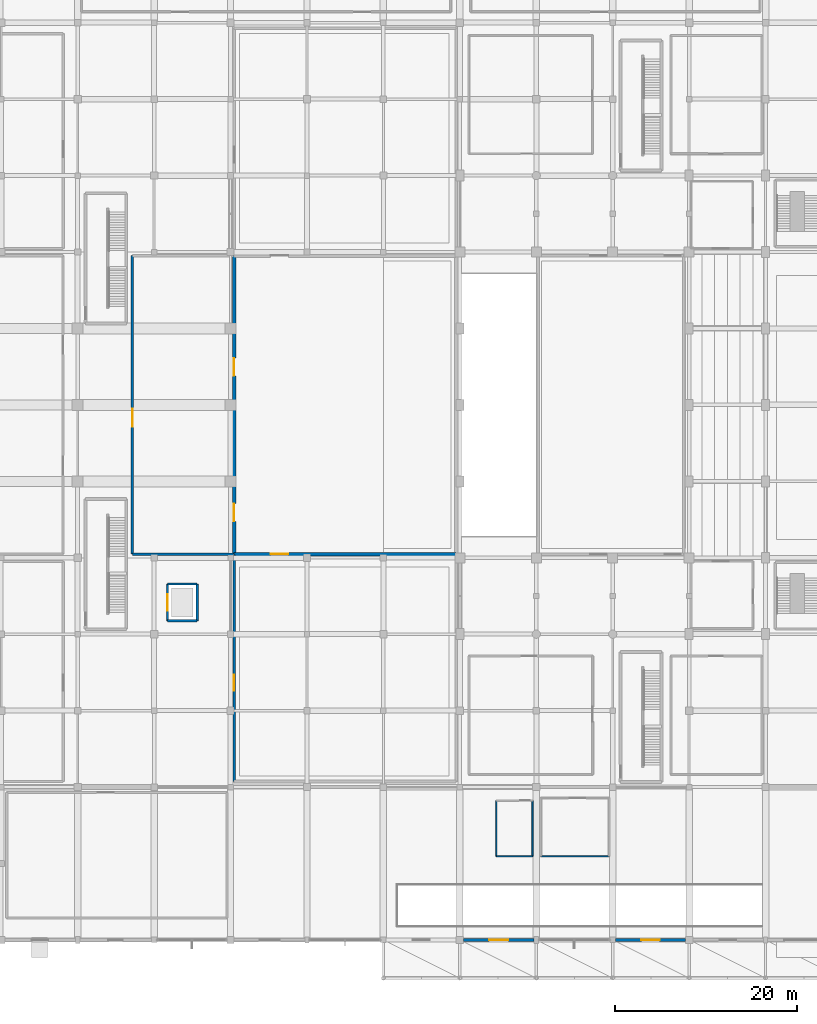
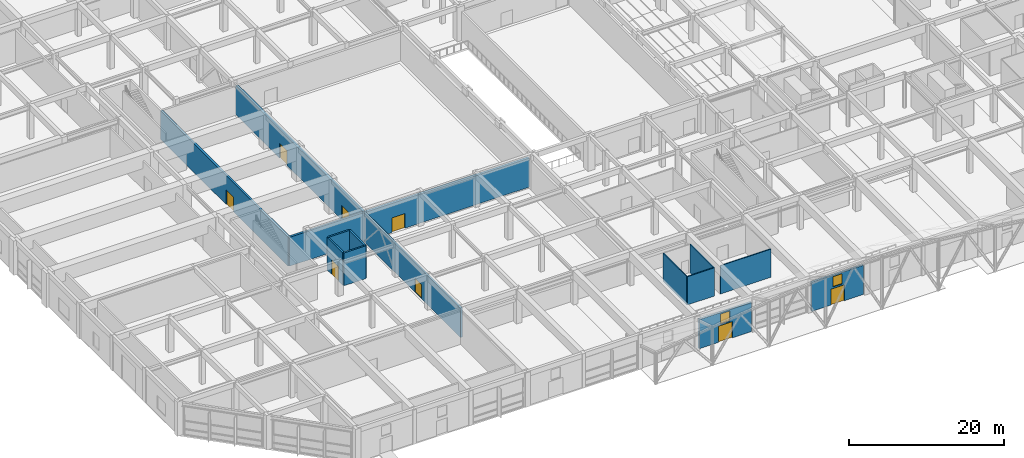
# One storey, part 42 of 62: 15 walls, 8 doors, 2 windows, 10 openings.
"""IFC4 building model written with IfcOpenShell, lengths in metres."""

from ifc_helpers import new_model, si_unit, direction, frame, frame_2d, origin, place, context, subcontext, project, spatial, rectangle, extrude, material, layer, layer_set, type_object, element, fill, save


model = new_model("IFC4")

# Units and contexts
model_context = context("Model", 3, precision=1e-05, world=origin(), true_north=direction((0.0, 1.0)))
body_context = subcontext(model_context, "Body", "Model", "MODEL_VIEW")
ifc_project = project(units=[si_unit("LENGTHUNIT", "METRE"), si_unit("AREAUNIT", "SQUARE_METRE"), si_unit("VOLUMEUNIT", "CUBIC_METRE"), si_unit("PLANEANGLEUNIT", "RADIAN"), si_unit("MASSUNIT", "GRAM", prefix="KILO")], contexts=[model_context])

# Site, building, storey
site_placement = place(None, origin())
site = spatial("IfcSite", under=ifc_project, at=site_placement, CompositionType="ELEMENT")
building_placement = place(site_placement, origin())
building = spatial("IfcBuilding", under=site, at=building_placement, Name="Xuanlan Plaza Opera House", CompositionType="ELEMENT")
storey_placement = place(building_placement, origin())
storey = spatial("IfcBuildingStorey", under=building, at=storey_placement, Name="L00", CompositionType="ELEMENT", Elevation=0.0)

# Wall, openings, door, window
ifc_material_1 = material(Name="Anodised Aluminium 6063-T6 and Rockwool Cladding", Category="aluminium")
ifc_layer_1 = layer(ifc_material_1, 0.320068359375)
ifc_layer_set_1 = layer_set([ifc_layer_1], Name="Anodised Aluminium 6063-T6 and Rockwool Cladding")
wall_type_1 = type_object("IfcWallType", Name="ENV-WL-EW-03", PredefinedType="STANDARD", material=ifc_layer_set_1)
wall_1_placement = place(storey_placement, frame((67.60009765625, 0.0, 0.0), z_axis=(0.0, 0.0, 1.0), x_axis=(1.0, 0.0, 0.0)))
wall_1 = element("IfcWall", 1, at=wall_1_placement, inside=storey, type_object=wall_type_1, Name="Exterior Wall L00-007", PredefinedType="STANDARD", context=body_context, shape_type="SweptSolid", body=[
    extrude(rectangle(XDim=7.75, YDim=0.320068359375, at=frame_2d((3.875, 0.0))), origin(), (0.0, 0.0, 1.0), 4.580078125),
])
opening_1_placement = place(wall_1_placement, frame((2.824951171875, 0.0, 0.0)))
opening_1 = element("IfcOpeningElement", 2, at=opening_1_placement, cuts=wall_1, Name="Opening ED-06", PredefinedType="OPENING", context=body_context, shape_type="SweptSolid", body=[
    extrude(rectangle(XDim=2.10009765625, YDim=2.550048828125, at=frame_2d((1.050048828125, 1.27490234375))), frame((0.0, 0.169921875, 0.0), z_axis=(0.0, -1.0, 0.0), x_axis=(1.0, 0.0, 0.0)), (0.0, 0.0, 1.0), 0.340087890625),
])
opening_2_placement = place(wall_1_placement, frame((3.175048828125, 0.0, 2.75)))
opening_2 = element("IfcOpeningElement", 3, at=opening_2_placement, cuts=wall_1, Name="Opening WN-08", PredefinedType="OPENING", context=body_context, shape_type="SweptSolid", body=[
    extrude(rectangle(XDim=1.39990234375, YDim=1.60009765625, at=frame_2d((0.699951171875, 0.800048828125))), frame((0.0, 0.169921875, 0.0), z_axis=(0.0, -1.0, 0.0), x_axis=(1.0, 0.0, 0.0)), (0.0, 0.0, 1.0), 0.340087890625),
])
ifc_material_2 = material(Name="Anodised Aluminium 6063-T6 and Laminated Safety Glass", Category="aluminium")
door_type_1 = type_object("IfcDoorType", Name="ENV-DR-ED-06", OperationType="DOUBLE_DOOR_SINGLE_SWING", PredefinedType="DOOR", material=ifc_material_2)
door_1_placement = place(opening_1_placement, frame((2.10009765625, 0.0, 0.0), z_axis=(0.0, 0.0, 1.0), x_axis=(-1.0, 0.0, 0.0)))
door_1 = element("IfcDoor", 4, at=door_1_placement, inside=storey, type_object=door_type_1, Name="Main Foyer Pedestrian Entrance Door 05", OperationType="DOUBLE_DOOR_SINGLE_SWING", OverallHeight=2.550048828125, OverallWidth=2.10009765625, PredefinedType="DOOR", context=body_context, shape_type="SweptSolid", body=[
    extrude(rectangle(XDim=2.10009765625, YDim=2.550048828125, at=frame_2d((1.050048828125, 1.27490234375))), frame((0.0, 0.02490234375, 0.0), z_axis=(0.0, -1.0, 0.0), x_axis=(1.0, 0.0, 0.0)), (0.0, 0.0, 1.0), 0.050048828125),
])
fill(opening_1, door_1)
ifc_material_3 = material(Name="Anodised Aluminium 6063-T6 and Low-E Glass", Category="aluminium")
window_type = type_object("IfcWindowType", Name="ENV-WN-WN-08", PartitioningType="SINGLE_PANEL", PredefinedType="WINDOW", material=ifc_material_3)
window_1_placement = place(opening_2_placement, origin())
window_1 = element("IfcWindow", 5, at=window_1_placement, inside=storey, type_object=window_type, Name="Entrance Portal Transom Clerestory 05", OverallHeight=1.60009765625, OverallWidth=1.39990234375, PartitioningType="SINGLE_PANEL", PredefinedType="WINDOW", context=body_context, shape_type="SweptSolid", body=[
    extrude(rectangle(XDim=1.39990234375, YDim=1.60009765625, at=frame_2d((0.699951171875, 0.800048828125))), frame((0.0, 0.030029296875, 0.0), z_axis=(0.0, -1.0, 0.0), x_axis=(1.0, 0.0, 0.0)), (0.0, 0.0, 1.0), 0.06005859375),
])
fill(opening_2, window_1)

ifc_layer_2 = layer(ifc_material_1, 0.2900390625)
ifc_layer_set_2 = layer_set([ifc_layer_2], Name="Anodised Aluminium 6063-T6 and Rockwool Cladding")
wall_type_2 = type_object("IfcWallType", Name="ENV-WL-EW-05", PredefinedType="STANDARD", material=ifc_layer_set_2)
wall_2_placement = place(storey_placement, frame((84.300048828125, 0.0, 0.0), z_axis=(0.0, 0.0, 1.0), x_axis=(1.0, 0.0, 0.0)))
wall_2 = element("IfcWall", 6, at=wall_2_placement, inside=storey, type_object=wall_type_2, Name="Exterior Wall L00-009", PredefinedType="STANDARD", context=body_context, shape_type="SweptSolid", body=[
    extrude(rectangle(XDim=7.699951171875, YDim=0.2900390625, at=frame_2d((3.85009765625, 0.0))), origin(), (0.0, 0.0, 1.0), 4.580078125),
])
opening_3_placement = place(wall_2_placement, frame((2.85009765625, 0.0, 0.0)))
opening_3 = element("IfcOpeningElement", 7, at=opening_3_placement, cuts=wall_2, Name="Opening ED-01", PredefinedType="OPENING", context=body_context, shape_type="SweptSolid", body=[
    extrude(rectangle(XDim=2.0, YDim=2.5, at=frame_2d((1.0, 1.25))), frame((0.0, 0.155029296875, 0.0), z_axis=(0.0, -1.0, 0.0), x_axis=(1.0, 0.0, 0.0)), (0.0, 0.0, 1.0), 0.31005859375),
])
opening_4_placement = place(wall_2_placement, frame((3.14990234375, 0.0, 2.75)))
opening_4 = element("IfcOpeningElement", 8, at=opening_4_placement, cuts=wall_2, Name="Opening WN-08", PredefinedType="OPENING", context=body_context, shape_type="SweptSolid", body=[
    extrude(rectangle(XDim=1.39990234375, YDim=1.60009765625, at=frame_2d((0.699951171875, 0.800048828125))), frame((0.0, 0.155029296875, 0.0), z_axis=(0.0, -1.0, 0.0), x_axis=(1.0, 0.0, 0.0)), (0.0, 0.0, 1.0), 0.31005859375),
])
door_type_2 = type_object("IfcDoorType", Name="ENV-DR-ED-01", OperationType="DOUBLE_DOOR_SINGLE_SWING", PredefinedType="DOOR", material=ifc_material_2)
door_2_placement = place(opening_3_placement, frame((2.0, 0.0, 0.0), z_axis=(0.0, 0.0, 1.0), x_axis=(-1.0, 0.0, 0.0)))
door_2 = element("IfcDoor", 9, at=door_2_placement, inside=storey, type_object=door_type_2, Name="Main Foyer Pedestrian Entrance Door 06", OperationType="DOUBLE_DOOR_SINGLE_SWING", OverallHeight=2.5, OverallWidth=2.0, PredefinedType="DOOR", context=body_context, shape_type="SweptSolid", body=[
    extrude(rectangle(XDim=2.0, YDim=2.5, at=frame_2d((1.0, 1.25))), frame((0.0, 0.02490234375, 0.0), z_axis=(0.0, -1.0, 0.0), x_axis=(1.0, 0.0, 0.0)), (0.0, 0.0, 1.0), 0.050048828125),
])
fill(opening_3, door_2)
window_2_placement = place(opening_4_placement, origin())
window_2 = element("IfcWindow", 10, at=window_2_placement, inside=storey, type_object=window_type, Name="Entrance Portal Transom Clerestory 06", OverallHeight=1.60009765625, OverallWidth=1.39990234375, PartitioningType="SINGLE_PANEL", PredefinedType="WINDOW", context=body_context, shape_type="SweptSolid", body=[
    extrude(rectangle(XDim=1.39990234375, YDim=1.60009765625, at=frame_2d((0.699951171875, 0.800048828125))), frame((0.0, 0.030029296875, 0.0), z_axis=(0.0, -1.0, 0.0), x_axis=(1.0, 0.0, 0.0)), (0.0, 0.0, 1.0), 0.06005859375),
])
fill(opening_4, window_2)

# Walls
ifc_material_4 = material(Name="Autoclaved Aerated Blockwork Masonry", Category="masonry")
ifc_layer_3 = layer(ifc_material_4, 0.14990234375)
ifc_layer_set_3 = layer_set([ifc_layer_3], Name="Autoclaved Aerated Blockwork Masonry")
wall_type_3 = type_object("IfcWallType", Name="INT-WL-PW-03", PredefinedType="PARTITIONING", material=ifc_layer_set_3)
wall_3_placement = place(storey_placement, frame((76.10009765625, 9.199951171875, 0.0), z_axis=(0.0, 0.0, 1.0), x_axis=(1.0, 0.0, 0.0)))
element("IfcWall", 11, at=wall_3_placement, inside=storey, type_object=wall_type_3, Name="Opera Public WC South Wall South", PredefinedType="PARTITIONING", context=body_context, shape_type="SweptSolid", body=[
    extrude(rectangle(XDim=7.5, YDim=0.14990234375, at=frame_2d((3.75, 0.0))), origin(), (0.0, 0.0, 1.0), 4.43994140625),
])
wall_4_placement = place(storey_placement, frame((71.199951171875, 9.199951171875, 0.0), z_axis=(0.0, 0.0, 1.0), x_axis=(1.0, 0.0, 0.0)))
element("IfcWall", 12, at=wall_4_placement, inside=storey, type_object=wall_type_3, Name="Opera Accessible WC South Wall South", PredefinedType="PARTITIONING", context=body_context, shape_type="SweptSolid", body=[
    extrude(rectangle(XDim=4.0, YDim=0.14990234375, at=frame_2d((2.0, 0.0))), origin(), (0.0, 0.0, 1.0), 4.43994140625),
])
for number, where, z_axis, x_axis, name in (
    (13, (71.199951171875, 9.199951171875, 0.0), (0.0, 0.0, 1.0), (0.0, 1.0, 0.0), "Opera Accessible WC South Wall West"),
    (14, (75.199951171875, 9.199951171875, 0.0), (0.0, 0.0, 1.0), (0.0, 1.0, 0.0), "Opera Accessible WC South Wall East"),
):
    element("IfcWall", number, at=place(storey_placement, frame(where, z_axis=z_axis, x_axis=x_axis)), inside=storey, type_object=wall_type_3, Name=name, PredefinedType="PARTITIONING", context=body_context, shape_type="SweptSolid", body=[
        extrude(rectangle(XDim=6.10009765625, YDim=0.14990234375, at=frame_2d((3.050048828125, 0.0))), origin(), (0.0, 0.0, 1.0), 4.43994140625),
    ])

# Wall, opening, door
ifc_material_5 = material(Name="Concrete C50", Category="concrete")
ifc_layer_4 = layer(ifc_material_5, 0.3798828125)
ifc_layer_set_4 = layer_set([ifc_layer_4], Name="Concrete C50")
wall_type_4 = type_object("IfcWallType", Name="INT-WL-SW-FW1", PredefinedType="SHEAR", material=ifc_layer_set_4)
wall_5_placement = place(storey_placement, frame((42.39990234375, 42.39990234375, 0.0), z_axis=(0.0, 0.0, 1.0), x_axis=(1.0, 0.0, 0.0)))
wall_5 = element("IfcWall", 15, at=wall_5_placement, inside=storey, type_object=wall_type_4, Name="Main Stage Wall South", PredefinedType="SHEAR", context=body_context, shape_type="SweptSolid", body=[
    extrude(rectangle(XDim=24.400146484375, YDim=0.3798828125, at=frame_2d((12.2001953125, 0.0))), origin(), (0.0, 0.0, 1.0), 4.550048828125),
])
opening_5_placement = place(wall_5_placement, frame((4.0, 0.0, 0.0)))
opening_5 = element("IfcOpeningElement", 16, at=opening_5_placement, cuts=wall_5, Name="Opening FD-04", PredefinedType="OPENING", context=body_context, shape_type="SweptSolid", body=[
    extrude(rectangle(XDim=1.949951171875, YDim=2.300048828125, at=frame_2d((0.97509765625, 1.14990234375))), frame((0.0, 0.199951171875, 0.0), z_axis=(0.0, -1.0, 0.0), x_axis=(1.0, 0.0, 0.0)), (0.0, 0.0, 1.0), 0.39990234375),
])
ifc_material_6 = material(Name="Galvanised Steel Q235B", Category="steel")
door_type_3 = type_object("IfcDoorType", Name="INT-DR-FD-04", OperationType="DOUBLE_DOOR_SINGLE_SWING", PredefinedType="DOOR", material=ifc_material_6)
door_3_placement = place(opening_5_placement, origin())
door_3 = element("IfcDoor", 17, at=door_3_placement, inside=storey, type_object=door_type_3, Name="Main Stage Door 1", OperationType="DOUBLE_DOOR_SINGLE_SWING", OverallHeight=2.300048828125, OverallWidth=1.949951171875, PredefinedType="DOOR", context=body_context, shape_type="SweptSolid", body=[
    extrude(rectangle(XDim=1.949951171875, YDim=2.300048828125, at=frame_2d((0.97509765625, 1.14990234375))), frame((0.0, 0.02490234375, 0.0), z_axis=(0.0, -1.0, 0.0), x_axis=(1.0, 0.0, 0.0)), (0.0, 0.0, 1.0), 0.050048828125),
])
fill(opening_5, door_3)

# Wall, openings, doors
wall_6_placement = place(storey_placement, frame((42.39990234375, 42.39990234375, 0.0), z_axis=(0.0, 0.0, 1.0), x_axis=(0.0, 1.0, 0.0)))
wall_6 = element("IfcWall", 18, at=wall_6_placement, inside=storey, type_object=wall_type_4, Name="Main Stage Wall West", PredefinedType="SHEAR", context=body_context, shape_type="SweptSolid", body=[
    extrude(rectangle(XDim=32.800048828125, YDim=0.3798828125, at=frame_2d((16.39990234375, 0.0))), origin(), (0.0, 0.0, 1.0), 4.550048828125),
])
opening_6_placement = place(wall_6_placement, frame((3.60009765625, 0.0, 0.0)))
opening_6 = element("IfcOpeningElement", 19, at=opening_6_placement, cuts=wall_6, Name="Opening FD-04", PredefinedType="OPENING", context=body_context, shape_type="SweptSolid", body=[
    extrude(rectangle(XDim=1.949951171875, YDim=2.300048828125, at=frame_2d((0.97509765625, 1.14990234375))), frame((0.0, 0.199951171875, 0.0), z_axis=(0.0, -1.0, 0.0), x_axis=(1.0, 0.0, 0.0)), (0.0, 0.0, 1.0), 0.39990234375),
])
opening_7_placement = place(wall_6_placement, frame((19.60009765625, 0.0, 0.0)))
opening_7 = element("IfcOpeningElement", 20, at=opening_7_placement, cuts=wall_6, Name="Opening FD-04", PredefinedType="OPENING", context=body_context, shape_type="SweptSolid", body=[
    extrude(rectangle(XDim=1.949951171875, YDim=2.300048828125, at=frame_2d((0.97509765625, 1.14990234375))), frame((0.0, 0.199951171875, 0.0), z_axis=(0.0, -1.0, 0.0), x_axis=(1.0, 0.0, 0.0)), (0.0, 0.0, 1.0), 0.39990234375),
])
door_4_placement = place(opening_6_placement, origin())
door_4 = element("IfcDoor", 21, at=door_4_placement, inside=storey, type_object=door_type_3, Name="Main Stage Door 1", OperationType="DOUBLE_DOOR_SINGLE_SWING", OverallHeight=2.300048828125, OverallWidth=1.949951171875, PredefinedType="DOOR", context=body_context, shape_type="SweptSolid", body=[
    extrude(rectangle(XDim=1.949951171875, YDim=2.300048828125, at=frame_2d((0.97509765625, 1.14990234375))), frame((0.0, 0.02490234375, 0.0), z_axis=(0.0, -1.0, 0.0), x_axis=(1.0, 0.0, 0.0)), (0.0, 0.0, 1.0), 0.050048828125),
])
fill(opening_6, door_4)
door_5_placement = place(opening_7_placement, origin())
door_5 = element("IfcDoor", 22, at=door_5_placement, inside=storey, type_object=door_type_3, Name="Main Stage Door 2", OperationType="DOUBLE_DOOR_SINGLE_SWING", OverallHeight=2.300048828125, OverallWidth=1.949951171875, PredefinedType="DOOR", context=body_context, shape_type="SweptSolid", body=[
    extrude(rectangle(XDim=1.949951171875, YDim=2.300048828125, at=frame_2d((0.97509765625, 1.14990234375))), frame((0.0, 0.02490234375, 0.0), z_axis=(0.0, -1.0, 0.0), x_axis=(1.0, 0.0, 0.0)), (0.0, 0.0, 1.0), 0.050048828125),
])
fill(opening_7, door_5)

# Walls
ifc_material_7 = material(Name="Concrete C40", Category="concrete")
ifc_layer_5 = layer(ifc_material_7, 0.25)
ifc_layer_set_5 = layer_set([ifc_layer_5], Name="Concrete C40")
wall_type_5 = type_object("IfcWallType", Name="INT-WL-SW-LF1", PredefinedType="SHEAR", material=ifc_layer_set_5)
for number, where, z_axis, x_axis, name in (
    (23, (35.074951171875, 35.074951171875, 0.0), (0.0, 0.0, 1.0), (1.0, 0.0, 0.0), "Lift Shaft Wall LF-SC1 L00 South"),
    (24, (35.074951171875, 39.125, 0.0), (0.0, 0.0, 1.0), (1.0, 0.0, 0.0), "Lift Shaft Wall LF-SC1 L00 North"),
):
    element("IfcWall", number, at=place(storey_placement, frame(where, z_axis=z_axis, x_axis=x_axis)), inside=storey, type_object=wall_type_5, Name=name, PredefinedType="SHEAR", context=body_context, shape_type="SweptSolid", body=[
        extrude(rectangle(XDim=3.25, YDim=0.25, at=frame_2d((1.625, 0.0))), origin(), (0.0, 0.0, 1.0), 5.139892578125),
    ])

# Wall, opening, door
wall_7_placement = place(storey_placement, frame((35.074951171875, 35.074951171875, 0.0), z_axis=(0.0, 0.0, 1.0), x_axis=(0.0, 1.0, 0.0)))
wall_7 = element("IfcWall", 25, at=wall_7_placement, inside=storey, type_object=wall_type_5, Name="Lift Shaft Wall LF-SC1 L00 West", PredefinedType="SHEAR", context=body_context, shape_type="SweptSolid", body=[
    extrude(rectangle(XDim=4.050048828125, YDim=0.25, at=frame_2d((2.02490234375, 0.0))), origin(), (0.0, 0.0, 1.0), 5.139892578125),
])
opening_8_placement = place(wall_7_placement, frame((1.125, 0.0, 0.0)))
opening_8 = element("IfcOpeningElement", 26, at=opening_8_placement, cuts=wall_7, Name="Opening LD-SC1-L00", PredefinedType="OPENING", context=body_context, shape_type="SweptSolid", body=[
    extrude(rectangle(XDim=1.800048828125, YDim=2.300048828125, at=frame_2d((0.89990234375, 1.14990234375))), frame((0.0, 0.135009765625, 0.0), z_axis=(0.0, -1.0, 0.0), x_axis=(1.0, 0.0, 0.0)), (0.0, 0.0, 1.0), 0.27001953125),
])
ifc_material_8 = material(Name="Stainless Steel S30408", Category="steel")
door_type_4 = type_object("IfcDoorType", Name="INT-DR-LD-03", OperationType="DOUBLE_DOOR_SLIDING", PredefinedType="DOOR", material=ifc_material_8)
door_6_placement = place(opening_8_placement, origin())
door_6 = element("IfcDoor", 27, at=door_6_placement, inside=storey, type_object=door_type_4, Name="Lift Sliding Landing Door LF-SC1 L00", OperationType="DOUBLE_DOOR_SLIDING", OverallHeight=2.300048828125, OverallWidth=1.800048828125, PredefinedType="DOOR", context=body_context, shape_type="SweptSolid", body=[
    extrude(rectangle(XDim=1.800048828125, YDim=2.300048828125, at=frame_2d((0.89990234375, 1.14990234375))), frame((0.0, 0.02490234375, 0.0), z_axis=(0.0, -1.0, 0.0), x_axis=(1.0, 0.0, 0.0)), (0.0, 0.0, 1.0), 0.050048828125),
])
fill(opening_8, door_6)

# Wall
wall_8_placement = place(storey_placement, frame((38.324951171875, 35.074951171875, 0.0), z_axis=(0.0, 0.0, 1.0), x_axis=(0.0, 1.0, 0.0)))
element("IfcWall", 28, at=wall_8_placement, inside=storey, type_object=wall_type_5, Name="Lift Shaft Wall LF-SC1 L00 East", PredefinedType="SHEAR", context=body_context, shape_type="SweptSolid", body=[
    extrude(rectangle(XDim=4.050048828125, YDim=0.25, at=frame_2d((2.02490234375, 0.0))), origin(), (0.0, 0.0, 1.0), 5.139892578125),
])

# Wall, opening, door
ifc_layer_6 = layer(ifc_material_7, 0.300048828125)
ifc_layer_set_6 = layer_set([ifc_layer_6], Name="Concrete C40")
wall_type_6 = type_object("IfcWallType", Name="INT-WL-SW-ST1", PredefinedType="SHEAR", material=ifc_layer_set_6)
wall_9_placement = place(storey_placement, frame((42.39990234375, 17.39990234375, 0.0), z_axis=(0.0, 0.0, 1.0), x_axis=(0.0, 1.0, 0.0)))
wall_9 = element("IfcWall", 29, at=wall_9_placement, inside=storey, type_object=wall_type_6, Name="Side Stage South Wall West", PredefinedType="SHEAR", context=body_context, shape_type="SweptSolid", body=[
    extrude(rectangle(XDim=24.920166015625, YDim=0.300048828125, at=frame_2d((12.4599609375, 0.0))), origin(), (0.0, 0.0, 1.0), 4.550048828125),
])
opening_9_placement = place(wall_9_placement, frame((10.0, 0.0, 0.0)))
opening_9 = element("IfcOpeningElement", 30, at=opening_9_placement, cuts=wall_9, Name="Opening FD-03", PredefinedType="OPENING", context=body_context, shape_type="SweptSolid", body=[
    extrude(rectangle(XDim=1.75, YDim=2.199951171875, at=frame_2d((0.875, 1.10009765625))), frame((0.0, 0.159912109375, 0.0), z_axis=(0.0, -1.0, 0.0), x_axis=(1.0, 0.0, 0.0)), (0.0, 0.0, 1.0), 0.320068359375),
])
door_type_5 = type_object("IfcDoorType", Name="INT-DR-FD-03", OperationType="DOUBLE_DOOR_SINGLE_SWING", PredefinedType="DOOR", material=ifc_material_6)
door_7_placement = place(opening_9_placement, origin())
door_7 = element("IfcDoor", 31, at=door_7_placement, inside=storey, type_object=door_type_5, Name="Side Stage South Door 1", OperationType="DOUBLE_DOOR_SINGLE_SWING", OverallHeight=2.199951171875, OverallWidth=1.75, PredefinedType="DOOR", context=body_context, shape_type="SweptSolid", body=[
    extrude(rectangle(XDim=1.75, YDim=2.199951171875, at=frame_2d((0.875, 1.10009765625))), frame((0.0, 0.02490234375, 0.0), z_axis=(0.0, -1.0, 0.0), x_axis=(1.0, 0.0, 0.0)), (0.0, 0.0, 1.0), 0.050048828125),
])
fill(opening_9, door_7)

# Wall
wall_10_placement = place(storey_placement, frame((31.199951171875, 42.39990234375, 0.0), z_axis=(0.0, 0.0, 1.0), x_axis=(1.0, 0.0, 0.0)))
element("IfcWall", 32, at=wall_10_placement, inside=storey, type_object=wall_type_6, Name="Rear Stage Wall South", PredefinedType="SHEAR", context=body_context, shape_type="SweptSolid", body=[
    extrude(rectangle(XDim=11.1201171875, YDim=0.300048828125, at=frame_2d((5.56005859375, 0.0))), origin(), (0.0, 0.0, 1.0), 4.550048828125),
])

# Wall, opening, door
wall_11_placement = place(storey_placement, frame((31.199951171875, 42.39990234375, 0.0), z_axis=(0.0, 0.0, 1.0), x_axis=(0.0, 1.0, 0.0)))
wall_11 = element("IfcWall", 33, at=wall_11_placement, inside=storey, type_object=wall_type_6, Name="Rear Stage Wall West", PredefinedType="SHEAR", context=body_context, shape_type="SweptSolid", body=[
    extrude(rectangle(XDim=32.800048828125, YDim=0.300048828125, at=frame_2d((16.39990234375, 0.0))), origin(), (0.0, 0.0, 1.0), 4.550048828125),
])
opening_10_placement = place(wall_11_placement, frame((14.0, 0.0, 0.0)))
opening_10 = element("IfcOpeningElement", 34, at=opening_10_placement, cuts=wall_11, Name="Opening FD-04", PredefinedType="OPENING", context=body_context, shape_type="SweptSolid", body=[
    extrude(rectangle(XDim=1.949951171875, YDim=2.300048828125, at=frame_2d((0.97509765625, 1.14990234375))), frame((0.0, 0.159912109375, 0.0), z_axis=(0.0, -1.0, 0.0), x_axis=(1.0, 0.0, 0.0)), (0.0, 0.0, 1.0), 0.320068359375),
])
door_8_placement = place(opening_10_placement, origin())
door_8 = element("IfcDoor", 35, at=door_8_placement, inside=storey, type_object=door_type_3, Name="Rear Stage Door 1", OperationType="DOUBLE_DOOR_SINGLE_SWING", OverallHeight=2.300048828125, OverallWidth=1.949951171875, PredefinedType="DOOR", context=body_context, shape_type="SweptSolid", body=[
    extrude(rectangle(XDim=1.949951171875, YDim=2.300048828125, at=frame_2d((0.97509765625, 1.14990234375))), frame((0.0, 0.02490234375, 0.0), z_axis=(0.0, -1.0, 0.0), x_axis=(1.0, 0.0, 0.0)), (0.0, 0.0, 1.0), 0.050048828125),
])
fill(opening_10, door_8)

save(model, "model.ifc")
